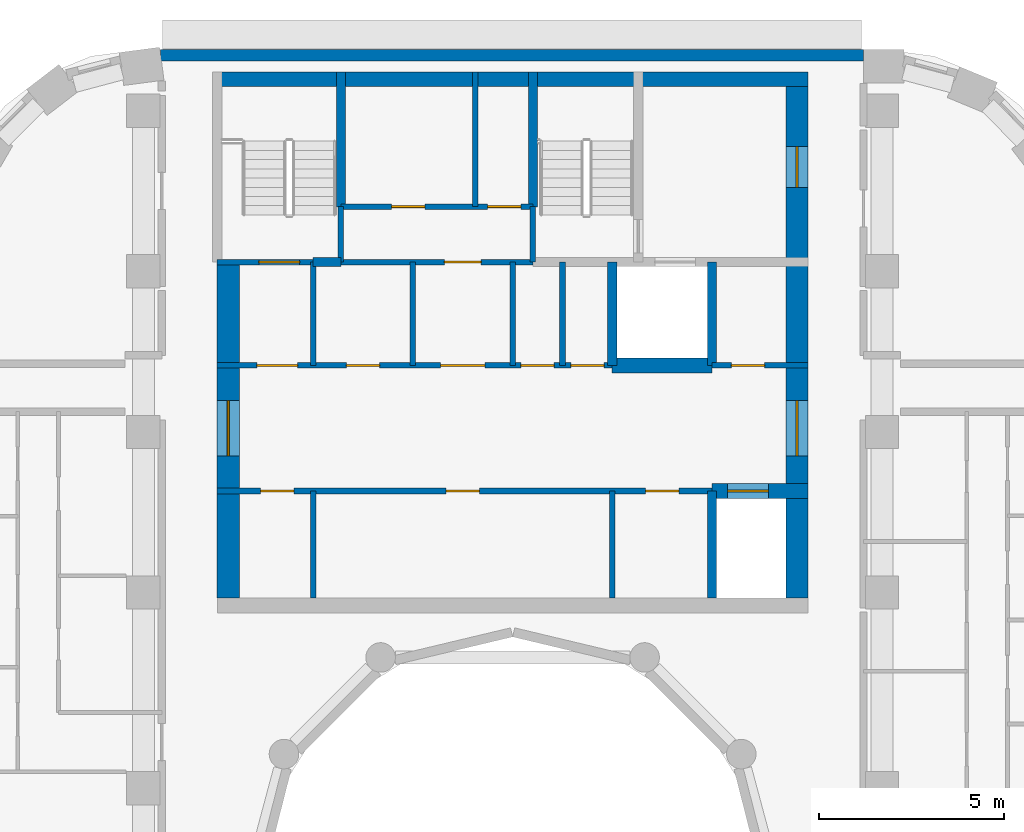
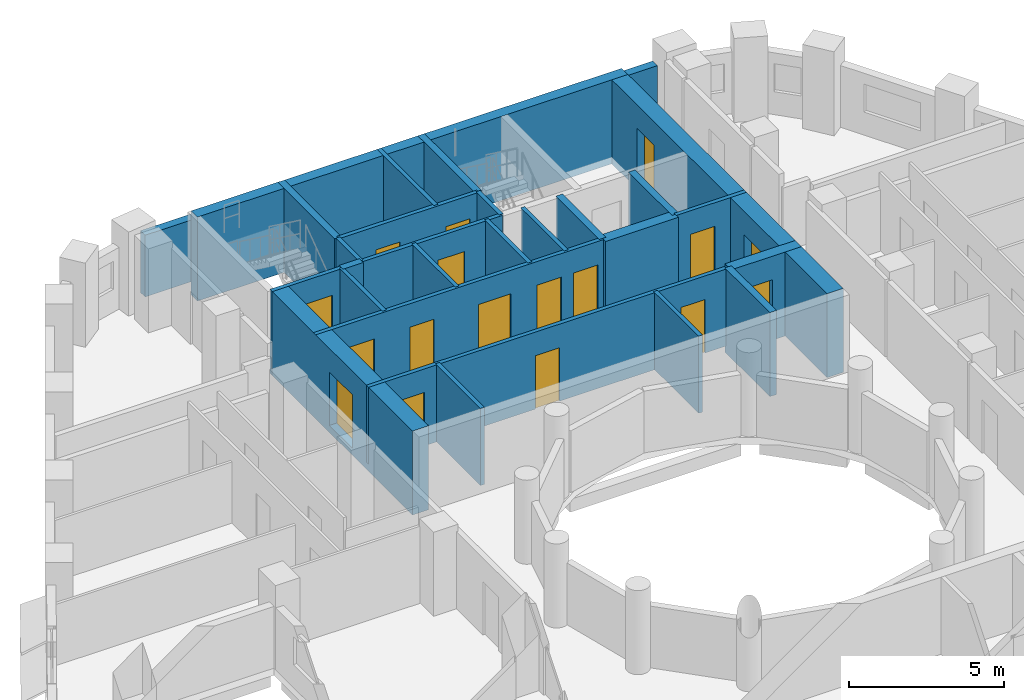
# One storey, part 7 of 12: 27 walls, 17 doors, 17 openings.
"""IFC4 building model written with IfcOpenShell, lengths in metres."""

from ifc_helpers import new_model, si_unit, direction, frame, frame_2d, origin, place, context, subcontext, project, spatial, rectangle, extrude, material, layer, layer_set, type_object, element, fill, save


model = new_model("IFC4")

# Units and contexts
model_context = context("Model", 3, precision=1e-05, world=origin(), true_north=direction((0.0, 1.0)))
body_context = subcontext(model_context, "Body", "Model", "MODEL_VIEW")
ifc_project = project(units=[si_unit("LENGTHUNIT", "METRE"), si_unit("AREAUNIT", "SQUARE_METRE"), si_unit("VOLUMEUNIT", "CUBIC_METRE"), si_unit("PLANEANGLEUNIT", "RADIAN"), si_unit("MASSUNIT", "GRAM", prefix="KILO")], contexts=[model_context])

# Site, building, storey
site_placement = place(None, origin())
site = spatial("IfcSite", under=ifc_project, at=site_placement, CompositionType="ELEMENT")
building_placement = place(site_placement, origin())
building = spatial("IfcBuilding", under=site, at=building_placement, Name="Nakaniwa Court", CompositionType="ELEMENT")
storey_placement = place(building_placement, frame((0.0, 0.0, 236.10009765625)))
storey = spatial("IfcBuildingStorey", under=building, at=storey_placement, Name="L61", CompositionType="ELEMENT", Elevation=236.10009765625)

# Walls
ifc_material_1 = material(Name="Charcoal ceramic cladding")
ifc_layer_1 = layer(ifc_material_1, 0.02, Name="Ceramic cladding")
ifc_material_2 = material(Name="Ventilated air cavity")
ifc_layer_2 = layer(ifc_material_2, 0.04, ventilated=True, Name="Ventilated cavity")
ifc_material_3 = material(Name="Mineral wool insulation")
ifc_layer_3 = layer(ifc_material_3, 0.1, Name="Insulation")
ifc_material_4 = material(Name="Cement bonded sheathing board")
ifc_layer_4 = layer(ifc_material_4, 0.012, Name="Sheathing")
ifc_material_5 = material(Name="Cold-formed galvanised stud frame with mineral wool infill")
ifc_layer_5 = layer(ifc_material_5, 0.1, Name="Stud frame")
ifc_material_6 = material(Name="Fire-rated gypsum plasterboard lining")
ifc_layer_6 = layer(ifc_material_6, 0.028, Name="Lining")
ifc_layer_set_1 = layer_set([ifc_layer_1, ifc_layer_2, ifc_layer_3, ifc_layer_4, ifc_layer_5, ifc_layer_6], Name="Charcoal ceramic faced external wall system")
wall_type_1 = type_object("IfcWallType", Name="Black ceramic faced external wall 300", PredefinedType="SOLIDWALL", material=ifc_layer_set_1)
wall_1_placement = place(storey_placement, frame((89.499267578125, 102.5, 0.0), z_axis=(0.0, 0.0, 1.0), x_axis=(-1.0, 0.0, 0.0)))
element("IfcWall", 1, at=wall_1_placement, inside=storey, type_object=wall_type_1, Name="L61 external wall 08", PredefinedType="SOLIDWALL", context=body_context, shape_type="SweptSolid", body=[
    extrude(rectangle(XDim=19.033447265625, YDim=0.300048828125, at=frame_2d((9.5166015625, 0.0))), origin(), (0.0, 0.0, 1.0), 2.4248046875),
])
ifc_material_7 = material(Name="Blockwork partition", Category="masonry")
ifc_layer_7 = layer(ifc_material_7, 0.14990234375)
ifc_layer_set_2 = layer_set([ifc_layer_7], Name="Blockwork partition")
wall_type_2 = type_object("IfcWallType", Name="Blockwork partition 150", PredefinedType="PARTITIONING", material=ifc_layer_set_2)
wall_2_placement = place(storey_placement, frame((74.60009765625, 87.800048828125, 0.0), z_axis=(0.0, 0.0, 1.0), x_axis=(0.0, 1.0, 0.0)))
element("IfcWall", 2, at=wall_2_placement, inside=storey, type_object=wall_type_2, Name="Partition PW-001", PredefinedType="PARTITIONING", context=body_context, shape_type="SweptSolid", body=[
    extrude(rectangle(XDim=2.89990234375, YDim=0.14990234375, at=frame_2d((1.449951171875, 0.0))), origin(), (0.0, 0.0, 1.0), 3.02490234375),
])
wall_3_placement = place(storey_placement, frame((74.60009765625, 94.10009765625, 0.0), z_axis=(0.0, 0.0, 1.0), x_axis=(0.0, 1.0, 0.0)))
element("IfcWall", 3, at=wall_3_placement, inside=storey, type_object=wall_type_2, Name="Partition PW-002", PredefinedType="PARTITIONING", context=body_context, shape_type="SweptSolid", body=[
    extrude(rectangle(XDim=2.7998046875, YDim=0.14990234375, at=frame_2d((1.39990234375, 0.0))), origin(), (0.0, 0.0, 1.0), 3.02490234375),
])

# Wall, openings, doors
wall_4_placement = place(storey_placement, frame((85.39990234375, 90.699951171875, 0.0), z_axis=(0.0, 0.0, 1.0), x_axis=(-1.0, 0.0, 0.0)))
wall_4 = element("IfcWall", 4, at=wall_4_placement, inside=storey, type_object=wall_type_2, Name="Partition PW-003", PredefinedType="PARTITIONING", context=body_context, shape_type="SweptSolid", body=[
    extrude(rectangle(XDim=13.39990234375, YDim=0.14990234375, at=frame_2d((6.699951171875, 0.0))), origin(), (0.0, 0.0, 1.0), 3.02490234375),
])
opening_1_placement = place(wall_4_placement, frame((11.324951171875, 0.0, 0.0)))
opening_1 = element("IfcOpeningElement", 5, at=opening_1_placement, cuts=wall_4, Name="Opening D-05-01", PredefinedType="OPENING", context=body_context, shape_type="SweptSolid", body=[
    extrude(rectangle(XDim=0.89990234375, YDim=2.10009765625, at=frame_2d((0.449951171875, 1.050048828125))), frame((0.0, 0.0849609375, 0.0), z_axis=(0.0, -1.0, 0.0), x_axis=(1.0, 0.0, 0.0)), (0.0, 0.0, 1.0), 0.169921875),
])
opening_2_placement = place(wall_4_placement, frame((6.300048828125, 0.0, 0.0)))
opening_2 = element("IfcOpeningElement", 6, at=opening_2_placement, cuts=wall_4, Name="Opening D-05-02", PredefinedType="OPENING", context=body_context, shape_type="SweptSolid", body=[
    extrude(rectangle(XDim=0.89990234375, YDim=2.10009765625, at=frame_2d((0.449951171875, 1.050048828125))), frame((0.0, 0.0849609375, 0.0), z_axis=(0.0, -1.0, 0.0), x_axis=(1.0, 0.0, 0.0)), (0.0, 0.0, 1.0), 0.169921875),
])
opening_3_placement = place(wall_4_placement, frame((0.89990234375, 0.0, 0.0)))
opening_3 = element("IfcOpeningElement", 7, at=opening_3_placement, cuts=wall_4, Name="Opening D-05-03", PredefinedType="OPENING", context=body_context, shape_type="SweptSolid", body=[
    extrude(rectangle(XDim=0.89990234375, YDim=2.10009765625, at=frame_2d((0.449951171875, 1.050048828125))), frame((0.0, 0.0849609375, 0.0), z_axis=(0.0, -1.0, 0.0), x_axis=(1.0, 0.0, 0.0)), (0.0, 0.0, 1.0), 0.169921875),
])
ifc_material_8 = material(Name="Fire rated steel door set", Category="steel")
door_type_1 = type_object("IfcDoorType", Name="Service room door 900", OperationType="NOTDEFINED", PredefinedType="DOOR", material=ifc_material_8)
door_1_placement = place(opening_1_placement, origin())
door_1 = element("IfcDoor", 8, at=door_1_placement, inside=storey, type_object=door_type_1, Name="Door D-05-01 L61-001", OperationType="SINGLE_SWING_RIGHT", OverallHeight=2.10009765625, OverallWidth=0.89990234375, PredefinedType="DOOR", context=body_context, shape_type="SweptSolid", body=[
    extrude(rectangle(XDim=0.89990234375, YDim=2.10009765625, at=frame_2d((0.449951171875, 1.050048828125))), frame((0.0, 0.02490234375, 0.0), z_axis=(0.0, -1.0, 0.0), x_axis=(1.0, 0.0, 0.0)), (0.0, 0.0, 1.0), 0.050048828125),
])
fill(opening_1, door_1)
door_2_placement = place(opening_2_placement, origin())
door_2 = element("IfcDoor", 9, at=door_2_placement, inside=storey, type_object=door_type_1, Name="Door D-05-02 L61-002", OperationType="SINGLE_SWING_LEFT", OverallHeight=2.10009765625, OverallWidth=0.89990234375, PredefinedType="DOOR", context=body_context, shape_type="SweptSolid", body=[
    extrude(rectangle(XDim=0.89990234375, YDim=2.10009765625, at=frame_2d((0.449951171875, 1.050048828125))), frame((0.0, 0.02490234375, 0.0), z_axis=(0.0, -1.0, 0.0), x_axis=(1.0, 0.0, 0.0)), (0.0, 0.0, 1.0), 0.050048828125),
])
fill(opening_2, door_2)
door_3_placement = place(opening_3_placement, origin())
door_3 = element("IfcDoor", 10, at=door_3_placement, inside=storey, type_object=door_type_1, Name="Door D-05-03 L61-003", OperationType="SINGLE_SWING_RIGHT", OverallHeight=2.10009765625, OverallWidth=0.89990234375, PredefinedType="DOOR", context=body_context, shape_type="SweptSolid", body=[
    extrude(rectangle(XDim=0.89990234375, YDim=2.10009765625, at=frame_2d((0.449951171875, 1.050048828125))), frame((0.0, 0.02490234375, 0.0), z_axis=(0.0, -1.0, 0.0), x_axis=(1.0, 0.0, 0.0)), (0.0, 0.0, 1.0), 0.050048828125),
])
fill(opening_3, door_3)

# Wall
wall_5_placement = place(storey_placement, frame((82.699951171875, 87.800048828125, 0.0), z_axis=(0.0, 0.0, 1.0), x_axis=(0.0, 1.0, 0.0)))
element("IfcWall", 11, at=wall_5_placement, inside=storey, type_object=wall_type_2, Name="Partition PW-009", PredefinedType="PARTITIONING", context=body_context, shape_type="SweptSolid", body=[
    extrude(rectangle(XDim=2.89990234375, YDim=0.14990234375, at=frame_2d((1.449951171875, 0.0))), origin(), (0.0, 0.0, 1.0), 3.02490234375),
])

# Wall, openings, doors
wall_6_placement = place(storey_placement, frame((72.0, 94.10009765625, 0.0), z_axis=(0.0, 0.0, 1.0), x_axis=(1.0, 0.0, 0.0)))
wall_6 = element("IfcWall", 12, at=wall_6_placement, inside=storey, type_object=wall_type_2, Name="Partition PW-010", PredefinedType="PARTITIONING", context=body_context, shape_type="SweptSolid", body=[
    extrude(rectangle(XDim=10.702880859375, YDim=0.14990234375, at=frame_2d((5.3515625, 0.0))), origin(), (0.0, 0.0, 1.0), 3.02490234375),
])
opening_4_placement = place(wall_6_placement, frame((1.074951171875, 0.0, 0.0)))
opening_4 = element("IfcOpeningElement", 13, at=opening_4_placement, cuts=wall_6, Name="Opening D-08-01", PredefinedType="OPENING", context=body_context, shape_type="SweptSolid", body=[
    extrude(rectangle(XDim=1.10009765625, YDim=2.10009765625, at=frame_2d((0.550048828125, 1.050048828125))), frame((0.0, 0.0849609375, 0.0), z_axis=(0.0, -1.0, 0.0), x_axis=(1.0, 0.0, 0.0)), (0.0, 0.0, 1.0), 0.169921875),
])
opening_5_placement = place(wall_6_placement, frame((3.5, 0.0, 0.0)))
opening_5 = element("IfcOpeningElement", 14, at=opening_5_placement, cuts=wall_6, Name="Opening D-05-04", PredefinedType="OPENING", context=body_context, shape_type="SweptSolid", body=[
    extrude(rectangle(XDim=0.89990234375, YDim=2.10009765625, at=frame_2d((0.449951171875, 1.050048828125))), frame((0.0, 0.0849609375, 0.0), z_axis=(0.0, -1.0, 0.0), x_axis=(1.0, 0.0, 0.0)), (0.0, 0.0, 1.0), 0.169921875),
])
opening_6_placement = place(wall_6_placement, frame((6.050048828125, 0.0, 0.0)))
opening_6 = element("IfcOpeningElement", 15, at=opening_6_placement, cuts=wall_6, Name="Opening D-06-01", PredefinedType="OPENING", context=body_context, shape_type="SweptSolid", body=[
    extrude(rectangle(XDim=1.199951171875, YDim=2.10009765625, at=frame_2d((0.60009765625, 1.050048828125))), frame((0.0, 0.0849609375, 0.0), z_axis=(0.0, -1.0, 0.0), x_axis=(1.0, 0.0, 0.0)), (0.0, 0.0, 1.0), 0.169921875),
])
opening_7_placement = place(wall_6_placement, frame((8.22509765625, 0.0, 0.0)))
opening_7 = element("IfcOpeningElement", 16, at=opening_7_placement, cuts=wall_6, Name="Opening D-05-05", PredefinedType="OPENING", context=body_context, shape_type="SweptSolid", body=[
    extrude(rectangle(XDim=0.89990234375, YDim=2.10009765625, at=frame_2d((0.449951171875, 1.050048828125))), frame((0.0, 0.0849609375, 0.0), z_axis=(0.0, -1.0, 0.0), x_axis=(1.0, 0.0, 0.0)), (0.0, 0.0, 1.0), 0.169921875),
])
opening_8_placement = place(wall_6_placement, frame((9.574951171875, 0.0, 0.0)))
opening_8 = element("IfcOpeningElement", 17, at=opening_8_placement, cuts=wall_6, Name="Opening D-05-06", PredefinedType="OPENING", context=body_context, shape_type="SweptSolid", body=[
    extrude(rectangle(XDim=0.89990234375, YDim=2.10009765625, at=frame_2d((0.449951171875, 1.050048828125))), frame((0.0, 0.0849609375, 0.0), z_axis=(0.0, -1.0, 0.0), x_axis=(1.0, 0.0, 0.0)), (0.0, 0.0, 1.0), 0.169921875),
])
ifc_material_9 = material(Name="Fire rated steel double door set", Category="steel")
door_type_2 = type_object("IfcDoorType", Name="Service passage double door 1200", OperationType="NOTDEFINED", PredefinedType="DOOR", material=ifc_material_9)
door_4_placement = place(opening_6_placement, origin())
door_4 = element("IfcDoor", 18, at=door_4_placement, inside=storey, type_object=door_type_2, Name="Door D-06-01 L61-006", OperationType="DOUBLE_DOOR_SINGLE_SWING", OverallHeight=2.10009765625, OverallWidth=1.199951171875, PredefinedType="DOOR", context=body_context, shape_type="SweptSolid", body=[
    extrude(rectangle(XDim=1.199951171875, YDim=2.10009765625, at=frame_2d((0.60009765625, 1.050048828125))), frame((0.0, 0.02490234375, 0.0), z_axis=(0.0, -1.0, 0.0), x_axis=(1.0, 0.0, 0.0)), (0.0, 0.0, 1.0), 0.050048828125),
])
fill(opening_6, door_4)
door_5_placement = place(opening_5_placement, origin())
door_5 = element("IfcDoor", 19, at=door_5_placement, inside=storey, type_object=door_type_1, Name="Door D-05-04 L61-005", OperationType="SINGLE_SWING_RIGHT", OverallHeight=2.10009765625, OverallWidth=0.89990234375, PredefinedType="DOOR", context=body_context, shape_type="SweptSolid", body=[
    extrude(rectangle(XDim=0.89990234375, YDim=2.10009765625, at=frame_2d((0.449951171875, 1.050048828125))), frame((0.0, 0.02490234375, 0.0), z_axis=(0.0, -1.0, 0.0), x_axis=(1.0, 0.0, 0.0)), (0.0, 0.0, 1.0), 0.050048828125),
])
fill(opening_5, door_5)
door_6_placement = place(opening_7_placement, origin())
door_6 = element("IfcDoor", 20, at=door_6_placement, inside=storey, type_object=door_type_1, Name="Door D-05-05 L61-007", OperationType="SINGLE_SWING_RIGHT", OverallHeight=2.10009765625, OverallWidth=0.89990234375, PredefinedType="DOOR", context=body_context, shape_type="SweptSolid", body=[
    extrude(rectangle(XDim=0.89990234375, YDim=2.10009765625, at=frame_2d((0.449951171875, 1.050048828125))), frame((0.0, 0.02490234375, 0.0), z_axis=(0.0, -1.0, 0.0), x_axis=(1.0, 0.0, 0.0)), (0.0, 0.0, 1.0), 0.050048828125),
])
fill(opening_7, door_6)
door_7_placement = place(opening_8_placement, origin())
door_7 = element("IfcDoor", 21, at=door_7_placement, inside=storey, type_object=door_type_1, Name="Door D-05-06 L61-008", OperationType="SINGLE_SWING_LEFT", OverallHeight=2.10009765625, OverallWidth=0.89990234375, PredefinedType="DOOR", context=body_context, shape_type="SweptSolid", body=[
    extrude(rectangle(XDim=0.89990234375, YDim=2.10009765625, at=frame_2d((0.449951171875, 1.050048828125))), frame((0.0, 0.02490234375, 0.0), z_axis=(0.0, -1.0, 0.0), x_axis=(1.0, 0.0, 0.0)), (0.0, 0.0, 1.0), 0.050048828125),
])
fill(opening_8, door_7)
door_type_3 = type_object("IfcDoorType", Name="Stair lobby door 1100", OperationType="NOTDEFINED", PredefinedType="DOOR", material=ifc_material_8)
door_8_placement = place(opening_4_placement, origin())
door_8 = element("IfcDoor", 22, at=door_8_placement, inside=storey, type_object=door_type_3, Name="Door D-08-01 L61-004", OperationType="SINGLE_SWING_LEFT", OverallHeight=2.10009765625, OverallWidth=1.10009765625, PredefinedType="DOOR", context=body_context, shape_type="SweptSolid", body=[
    extrude(rectangle(XDim=1.10009765625, YDim=2.10009765625, at=frame_2d((0.550048828125, 1.050048828125))), frame((0.0, 0.02490234375, 0.0), z_axis=(0.0, -1.0, 0.0), x_axis=(1.0, 0.0, 0.0)), (0.0, 0.0, 1.0), 0.050048828125),
])
fill(opening_4, door_8)

# Wall, opening, door
wall_7_placement = place(storey_placement, frame((85.39697265625, 94.10009765625, 0.0), z_axis=(0.0, 0.0, 1.0), x_axis=(1.0, 0.0, 0.0)))
wall_7 = element("IfcWall", 23, at=wall_7_placement, inside=storey, type_object=wall_type_2, Name="Partition PW-011", PredefinedType="PARTITIONING", context=body_context, shape_type="SweptSolid", body=[
    extrude(rectangle(XDim=2.60302734375, YDim=0.14990234375, at=frame_2d((1.301513671875, 0.0))), origin(), (0.0, 0.0, 1.0), 3.02490234375),
])
opening_9_placement = place(wall_7_placement, frame((0.528076171875, 0.0, 0.0)))
opening_9 = element("IfcOpeningElement", 24, at=opening_9_placement, cuts=wall_7, Name="Opening D-05-07", PredefinedType="OPENING", context=body_context, shape_type="SweptSolid", body=[
    extrude(rectangle(XDim=0.89990234375, YDim=2.10009765625, at=frame_2d((0.449951171875, 1.050048828125))), frame((0.0, 0.0849609375, 0.0), z_axis=(0.0, -1.0, 0.0), x_axis=(1.0, 0.0, 0.0)), (0.0, 0.0, 1.0), 0.169921875),
])
door_9_placement = place(opening_9_placement, origin())
door_9 = element("IfcDoor", 25, at=door_9_placement, inside=storey, type_object=door_type_1, Name="Door D-05-07 L61-009", OperationType="SINGLE_SWING_RIGHT", OverallHeight=2.10009765625, OverallWidth=0.89990234375, PredefinedType="DOOR", context=body_context, shape_type="SweptSolid", body=[
    extrude(rectangle(XDim=0.89990234375, YDim=2.10009765625, at=frame_2d((0.449951171875, 1.050048828125))), frame((0.0, 0.02490234375, 0.0), z_axis=(0.0, -1.0, 0.0), x_axis=(1.0, 0.0, 0.0)), (0.0, 0.0, 1.0), 0.050048828125),
])
fill(opening_9, door_9)

# Wall
wall_8_placement = place(storey_placement, frame((77.300048828125, 94.10009765625, 0.0), z_axis=(0.0, 0.0, 1.0), x_axis=(0.0, 1.0, 0.0)))
element("IfcWall", 26, at=wall_8_placement, inside=storey, type_object=wall_type_2, Name="Partition PW-014", PredefinedType="PARTITIONING", context=body_context, shape_type="SweptSolid", body=[
    extrude(rectangle(XDim=2.7998046875, YDim=0.14990234375, at=frame_2d((1.39990234375, 0.0))), origin(), (0.0, 0.0, 1.0), 3.02490234375),
])

# Wall, opening, door
wall_9_placement = place(storey_placement, frame((75.346923828125, 96.89990234375, 0.0), z_axis=(0.0, 0.0, 1.0), x_axis=(1.0, 0.0, 0.0)))
wall_9 = element("IfcWall", 27, at=wall_9_placement, inside=storey, type_object=wall_type_2, Name="Partition PW-017", PredefinedType="PARTITIONING", context=body_context, shape_type="SweptSolid", body=[
    extrude(rectangle(XDim=5.2060546875, YDim=0.14990234375, at=frame_2d((2.60302734375, 0.0))), origin(), (0.0, 0.0, 1.0), 3.02490234375),
])
opening_10_placement = place(wall_9_placement, frame((2.802978515625, 0.0, 0.0)))
opening_10 = element("IfcOpeningElement", 28, at=opening_10_placement, cuts=wall_9, Name="Opening D-23-01", PredefinedType="OPENING", context=body_context, shape_type="SweptSolid", body=[
    extrude(rectangle(XDim=1.0, YDim=2.10009765625, at=frame_2d((0.5, 1.050048828125))), frame((0.0, 0.0849609375, 0.0), z_axis=(0.0, -1.0, 0.0), x_axis=(1.0, 0.0, 0.0)), (0.0, 0.0, 1.0), 0.169921875),
])
door_type_4 = type_object("IfcDoorType", Name="Service room door 1000", OperationType="NOTDEFINED", PredefinedType="DOOR", material=ifc_material_8)
door_10_placement = place(opening_10_placement, origin())
door_10 = element("IfcDoor", 29, at=door_10_placement, inside=storey, type_object=door_type_4, Name="Door D-23-01 L61-010", OperationType="SINGLE_SWING_LEFT", OverallHeight=2.10009765625, OverallWidth=1.0, PredefinedType="DOOR", context=body_context, shape_type="SweptSolid", body=[
    extrude(rectangle(XDim=1.0, YDim=2.10009765625, at=frame_2d((0.5, 1.050048828125))), frame((0.0, 0.02490234375, 0.0), z_axis=(0.0, -1.0, 0.0), x_axis=(1.0, 0.0, 0.0)), (0.0, 0.0, 1.0), 0.050048828125),
])
fill(opening_10, door_10)

# Walls
for number, where, z_axis, x_axis, name in (
    (30, (80.0, 94.10009765625, 0.0), (0.0, 0.0, 1.0), (0.0, 1.0, 0.0), "Partition PW-018"),
    (31, (81.35009765625, 94.10009765625, 0.0), (0.0, 0.0, 1.0), (0.0, 1.0, 0.0), "Partition PW-019"),
):
    element("IfcWall", number, at=place(storey_placement, frame(where, z_axis=z_axis, x_axis=x_axis)), inside=storey, type_object=wall_type_2, Name=name, PredefinedType="PARTITIONING", context=body_context, shape_type="SweptSolid", body=[
        extrude(rectangle(XDim=2.7998046875, YDim=0.14990234375, at=frame_2d((1.39990234375, 0.0))), origin(), (0.0, 0.0, 1.0), 3.02490234375),
    ])

# Wall, openings, doors
wall_10_placement = place(storey_placement, frame((75.35009765625, 98.39990234375, 0.0), z_axis=(0.0, 0.0, 1.0), x_axis=(1.0, 0.0, 0.0)))
wall_10 = element("IfcWall", 32, at=wall_10_placement, inside=storey, type_object=wall_type_2, Name="Partition PW-027", PredefinedType="PARTITIONING", context=body_context, shape_type="SweptSolid", body=[
    extrude(rectangle(XDim=5.199951171875, YDim=0.14990234375, at=frame_2d((2.60009765625, 0.0))), origin(), (0.0, 0.0, 1.0), 3.02490234375),
])
opening_11_placement = place(wall_10_placement, frame((1.3701171875, 0.0, 0.0)))
opening_11 = element("IfcOpeningElement", 33, at=opening_11_placement, cuts=wall_10, Name="Opening D-05-08", PredefinedType="OPENING", context=body_context, shape_type="SweptSolid", body=[
    extrude(rectangle(XDim=0.89990234375, YDim=2.10009765625, at=frame_2d((0.449951171875, 1.050048828125))), frame((0.0, 0.0849609375, 0.0), z_axis=(0.0, -1.0, 0.0), x_axis=(1.0, 0.0, 0.0)), (0.0, 0.0, 1.0), 0.169921875),
])
opening_12_placement = place(wall_10_placement, frame((3.969970703125, 0.0, 0.0)))
opening_12 = element("IfcOpeningElement", 34, at=opening_12_placement, cuts=wall_10, Name="Opening D-05-09", PredefinedType="OPENING", context=body_context, shape_type="SweptSolid", body=[
    extrude(rectangle(XDim=0.89990234375, YDim=2.10009765625, at=frame_2d((0.449951171875, 1.050048828125))), frame((0.0, 0.0849609375, 0.0), z_axis=(0.0, -1.0, 0.0), x_axis=(1.0, 0.0, 0.0)), (0.0, 0.0, 1.0), 0.169921875),
])
door_11_placement = place(opening_11_placement, origin())
door_11 = element("IfcDoor", 35, at=door_11_placement, inside=storey, type_object=door_type_1, Name="Door D-05-08 L61-011", OperationType="SINGLE_SWING_RIGHT", OverallHeight=2.10009765625, OverallWidth=0.89990234375, PredefinedType="DOOR", context=body_context, shape_type="SweptSolid", body=[
    extrude(rectangle(XDim=0.89990234375, YDim=2.10009765625, at=frame_2d((0.449951171875, 1.050048828125))), frame((0.0, 0.02490234375, 0.0), z_axis=(0.0, -1.0, 0.0), x_axis=(1.0, 0.0, 0.0)), (0.0, 0.0, 1.0), 0.050048828125),
])
fill(opening_11, door_11)
door_12_placement = place(opening_12_placement, origin())
door_12 = element("IfcDoor", 36, at=door_12_placement, inside=storey, type_object=door_type_1, Name="Door D-05-09 L61-012", OperationType="SINGLE_SWING_LEFT", OverallHeight=2.10009765625, OverallWidth=0.89990234375, PredefinedType="DOOR", context=body_context, shape_type="SweptSolid", body=[
    extrude(rectangle(XDim=0.89990234375, YDim=2.10009765625, at=frame_2d((0.449951171875, 1.050048828125))), frame((0.0, 0.02490234375, 0.0), z_axis=(0.0, -1.0, 0.0), x_axis=(1.0, 0.0, 0.0)), (0.0, 0.0, 1.0), 0.050048828125),
])
fill(opening_12, door_12)

# Wall
wall_11_placement = place(storey_placement, frame((78.989990234375, 98.39990234375, 0.0), z_axis=(0.0, 0.0, 1.0), x_axis=(0.0, 1.0, 0.0)))
element("IfcWall", 37, at=wall_11_placement, inside=storey, type_object=wall_type_2, Name="Partition PW-028", PredefinedType="PARTITIONING", context=body_context, shape_type="SweptSolid", body=[
    extrude(rectangle(XDim=3.650146484375, YDim=0.14990234375, at=frame_2d((1.8251953125, 0.0))), origin(), (0.0, 0.0, 1.0), 3.02490234375),
])

# Wall, opening, door
ifc_material_10 = material(Name="Concrete C80/100", Category="concrete")
ifc_layer_8 = layer(ifc_material_10, 0.60009765625)
ifc_layer_set_3 = layer_set([ifc_layer_8], Name="Concrete C80/100")
wall_type_3 = type_object("IfcWallType", Name="Concrete core side wall 600 C80", PredefinedType="SHEAR", material=ifc_layer_set_3)
wall_12_placement = place(storey_placement, frame((72.300048828125, 87.800048828125, -0.275146484375), z_axis=(0.0, 0.0, 1.0), x_axis=(0.0, 1.0, 0.0)))
wall_12 = element("IfcWall", 38, at=wall_12_placement, inside=storey, type_object=wall_type_3, Name="Core wall SW-04", PredefinedType="SHEAR", context=body_context, shape_type="SweptSolid", body=[
    extrude(rectangle(XDim=9.099853515625, YDim=0.60009765625, at=frame_2d((4.5498046875, 0.0))), origin(), (0.0, 0.0, 1.0), 3.300048828125),
])
opening_13_placement = place(wall_12_placement, frame((3.85009765625, 0.0, 0.27490234375)))
opening_13 = element("IfcOpeningElement", 39, at=opening_13_placement, cuts=wall_12, Name="Opening D-07-02", PredefinedType="OPENING", context=body_context, shape_type="SweptSolid", body=[
    extrude(rectangle(XDim=1.5, YDim=2.10009765625, at=frame_2d((0.75, 1.050048828125))), frame((0.0, 0.31005859375, 0.0), z_axis=(0.0, -1.0, 0.0), x_axis=(1.0, 0.0, 0.0)), (0.0, 0.0, 1.0), 0.6201171875),
])
ifc_material_11 = material(Name="Glazed fire rated steel double door set", Category="steel")
door_type_5 = type_object("IfcDoorType", Name="Lobby double door 1500", OperationType="NOTDEFINED", PredefinedType="DOOR", material=ifc_material_11)
door_13_placement = place(opening_13_placement, origin())
door_13 = element("IfcDoor", 40, at=door_13_placement, inside=storey, type_object=door_type_5, Name="Door D-07-02 L61-063", OperationType="DOUBLE_DOOR_SINGLE_SWING", OverallHeight=2.10009765625, OverallWidth=1.5, PredefinedType="DOOR", context=body_context, shape_type="SweptSolid", body=[
    extrude(rectangle(XDim=1.5, YDim=2.10009765625, at=frame_2d((0.75, 1.050048828125))), frame((0.0, 0.02490234375, 0.0), z_axis=(0.0, -1.0, 0.0), x_axis=(1.0, 0.0, 0.0)), (0.0, 0.0, 1.0), 0.050048828125),
])
fill(opening_13, door_13)

# Wall, openings, doors
wall_13_placement = place(storey_placement, frame((87.699951171875, 102.050048828125, -0.275146484375), z_axis=(0.0, 0.0, 1.0), x_axis=(0.0, -1.0, 0.0)))
wall_13 = element("IfcWall", 41, at=wall_13_placement, inside=storey, type_object=wall_type_3, Name="Core wall SW-08", PredefinedType="SHEAR", context=body_context, shape_type="SweptSolid", body=[
    extrude(rectangle(XDim=14.25, YDim=0.60009765625, at=frame_2d((7.125, 0.0))), origin(), (0.0, 0.0, 1.0), 3.300048828125),
])
opening_14_placement = place(wall_13_placement, frame((8.89990234375, 0.0, 0.27490234375)))
opening_14 = element("IfcOpeningElement", 42, at=opening_14_placement, cuts=wall_13, Name="Opening D-07-01", PredefinedType="OPENING", context=body_context, shape_type="SweptSolid", body=[
    extrude(rectangle(XDim=1.5, YDim=2.10009765625, at=frame_2d((0.75, 1.050048828125))), frame((0.0, 0.31005859375, 0.0), z_axis=(0.0, -1.0, 0.0), x_axis=(1.0, 0.0, 0.0)), (0.0, 0.0, 1.0), 0.6201171875),
])
opening_15_placement = place(wall_13_placement, frame((2.02490234375, 0.0, 0.27490234375)))
opening_15 = element("IfcOpeningElement", 43, at=opening_15_placement, cuts=wall_13, Name="Opening D-10-01", PredefinedType="OPENING", context=body_context, shape_type="SweptSolid", body=[
    extrude(rectangle(XDim=1.10009765625, YDim=2.10009765625, at=frame_2d((0.550048828125, 1.050048828125))), frame((0.0, 0.31005859375, 0.0), z_axis=(0.0, -1.0, 0.0), x_axis=(1.0, 0.0, 0.0)), (0.0, 0.0, 1.0), 0.6201171875),
])
door_type_6 = type_object("IfcDoorType", Name="Firefighting lobby door 1100", OperationType="NOTDEFINED", PredefinedType="DOOR", material=ifc_material_8)
door_14_placement = place(opening_15_placement, origin())
door_14 = element("IfcDoor", 44, at=door_14_placement, inside=storey, type_object=door_type_6, Name="Door D-10-01 L61-064", OperationType="SINGLE_SWING_LEFT", OverallHeight=2.10009765625, OverallWidth=1.10009765625, PredefinedType="DOOR", context=body_context, shape_type="SweptSolid", body=[
    extrude(rectangle(XDim=1.10009765625, YDim=2.10009765625, at=frame_2d((0.550048828125, 1.050048828125))), frame((0.0, 0.02490234375, 0.0), z_axis=(0.0, -1.0, 0.0), x_axis=(1.0, 0.0, 0.0)), (0.0, 0.0, 1.0), 0.050048828125),
])
fill(opening_15, door_14)
door_15_placement = place(opening_14_placement, origin())
door_15 = element("IfcDoor", 45, at=door_15_placement, inside=storey, type_object=door_type_5, Name="Door D-07-01 L61-062", OperationType="DOUBLE_DOOR_SINGLE_SWING", OverallHeight=2.10009765625, OverallWidth=1.5, PredefinedType="DOOR", context=body_context, shape_type="SweptSolid", body=[
    extrude(rectangle(XDim=1.5, YDim=2.10009765625, at=frame_2d((0.75, 1.050048828125))), frame((0.0, 0.02490234375, 0.0), z_axis=(0.0, -1.0, 0.0), x_axis=(1.0, 0.0, 0.0)), (0.0, 0.0, 1.0), 0.050048828125),
])
fill(opening_14, door_15)

# Wall, opening, door
ifc_layer_9 = layer(ifc_material_10, 0.39990234375)
ifc_layer_set_4 = layer_set([ifc_layer_9], Name="Concrete C80/100")
wall_type_4 = type_object("IfcWallType", Name="Concrete core spine wall 400 C80", PredefinedType="SHEAR", material=ifc_layer_set_4)
wall_14_placement = place(storey_placement, frame((85.39990234375, 90.699951171875, -0.275146484375), z_axis=(0.0, 0.0, 1.0), x_axis=(1.0, 0.0, 0.0)))
wall_14 = element("IfcWall", 46, at=wall_14_placement, inside=storey, type_object=wall_type_4, Name="Core wall SW-07", PredefinedType="SHEAR", context=body_context, shape_type="SweptSolid", body=[
    extrude(rectangle(XDim=2.60009765625, YDim=0.39990234375, at=frame_2d((1.300048828125, 0.0))), origin(), (0.0, 0.0, 1.0), 3.300048828125),
])
opening_16_placement = place(wall_14_placement, frame((0.425048828125, 0.0, 0.27490234375)))
opening_16 = element("IfcOpeningElement", 47, at=opening_16_placement, cuts=wall_14, Name="Opening LD01", PredefinedType="OPENING", context=body_context, shape_type="SweptSolid", body=[
    extrude(rectangle(XDim=1.10009765625, YDim=2.10009765625, at=frame_2d((0.550048828125, 1.050048828125))), frame((0.0, 0.2099609375, 0.0), z_axis=(0.0, -1.0, 0.0), x_axis=(1.0, 0.0, 0.0)), (0.0, 0.0, 1.0), 0.419921875),
])
ifc_material_12 = material(Name="Stainless steel sliding lift landing door", Category="steel")
door_type_7 = type_object("IfcDoorType", Name="Lift landing door 1100", OperationType="NOTDEFINED", PredefinedType="DOOR", material=ifc_material_12)
door_16_placement = place(opening_16_placement, origin())
door_16 = element("IfcDoor", 48, at=door_16_placement, inside=storey, type_object=door_type_7, Name="Lift landing door LD01 L61-001", OperationType="SLIDING_TO_LEFT", OverallHeight=2.10009765625, OverallWidth=1.10009765625, PredefinedType="DOOR", context=body_context, shape_type="SweptSolid", body=[
    extrude(rectangle(XDim=1.10009765625, YDim=2.10009765625, at=frame_2d((0.550048828125, 1.050048828125))), frame((0.0, 0.02490234375, 0.0), z_axis=(0.0, -1.0, 0.0), x_axis=(1.0, 0.0, 0.0)), (0.0, 0.0, 1.0), 0.050048828125),
])
fill(opening_16, door_16)

# Wall
wall_15_placement = place(storey_placement, frame((82.697021484375, 94.10009765625, -0.275146484375), z_axis=(0.0, 0.0, 1.0), x_axis=(1.0, 0.0, 0.0)))
element("IfcWall", 49, at=wall_15_placement, inside=storey, type_object=wall_type_4, Name="Core wall SW-12", PredefinedType="SHEAR", context=body_context, shape_type="SweptSolid", body=[
    extrude(rectangle(XDim=2.7060546875, YDim=0.39990234375, at=frame_2d((1.35302734375, 0.0))), origin(), (0.0, 0.0, 1.0), 3.300048828125),
])

# Wall, opening, door
ifc_layer_10 = layer(ifc_material_10, 0.14990234375)
ifc_layer_set_5 = layer_set([ifc_layer_10], Name="Concrete C80/100")
wall_type_5 = type_object("IfcWallType", Name="Concrete core wall 150 C80", PredefinedType="SHEAR", material=ifc_layer_set_5)
wall_16_placement = place(storey_placement, frame((74.60009765625, 96.89990234375, -0.275146484375), z_axis=(0.0, 0.0, 1.0), x_axis=(-1.0, 0.0, 0.0)))
wall_16 = element("IfcWall", 50, at=wall_16_placement, inside=storey, type_object=wall_type_5, Name="Core wall SW-13", PredefinedType="SHEAR", context=body_context, shape_type="SweptSolid", body=[
    extrude(rectangle(XDim=2.60009765625, YDim=0.14990234375, at=frame_2d((1.300048828125, 0.0))), origin(), (0.0, 0.0, 1.0), 3.300048828125),
])
opening_17_placement = place(wall_16_placement, frame((0.3701171875, 0.0, 0.27490234375)))
opening_17 = element("IfcOpeningElement", 51, at=opening_17_placement, cuts=wall_16, Name="Opening D-09-01", PredefinedType="OPENING", context=body_context, shape_type="SweptSolid", body=[
    extrude(rectangle(XDim=1.10009765625, YDim=2.10009765625, at=frame_2d((0.550048828125, 1.050048828125))), frame((0.0, 0.0849609375, 0.0), z_axis=(0.0, -1.0, 0.0), x_axis=(1.0, 0.0, 0.0)), (0.0, 0.0, 1.0), 0.169921875),
])
door_type_8 = type_object("IfcDoorType", Name="Stair door 1100", OperationType="NOTDEFINED", PredefinedType="DOOR", material=ifc_material_8)
door_17_placement = place(opening_17_placement, origin())
door_17 = element("IfcDoor", 52, at=door_17_placement, inside=storey, type_object=door_type_8, Name="Door D-09-01 L61-013", OperationType="SINGLE_SWING_LEFT", OverallHeight=2.10009765625, OverallWidth=1.10009765625, PredefinedType="DOOR", context=body_context, shape_type="SweptSolid", body=[
    extrude(rectangle(XDim=1.10009765625, YDim=2.10009765625, at=frame_2d((0.550048828125, 1.050048828125))), frame((0.0, 0.02490234375, 0.0), z_axis=(0.0, -1.0, 0.0), x_axis=(1.0, 0.0, 0.0)), (0.0, 0.0, 1.0), 0.050048828125),
])
fill(opening_17, door_17)

# Walls
for number, where, z_axis, x_axis, name in (
    (53, (75.35009765625, 96.89990234375, -0.275146484375), (0.0, 0.0, 1.0), (0.0, 1.0, 0.0), "Core wall SW-21"),
    (54, (80.550048828125, 96.89990234375, -0.275146484375), (0.0, 0.0, 1.0), (0.0, 1.0, 0.0), "Core wall SW-25"),
):
    element("IfcWall", number, at=place(storey_placement, frame(where, z_axis=z_axis, x_axis=x_axis)), inside=storey, type_object=wall_type_5, Name=name, PredefinedType="SHEAR", context=body_context, shape_type="SweptSolid", body=[
        extrude(rectangle(XDim=1.503173828125, YDim=0.14990234375, at=frame_2d((0.75146484375, 0.0))), origin(), (0.0, 0.0, 1.0), 3.300048828125),
    ])
ifc_layer_11 = layer(ifc_material_10, 0.39990234375)
ifc_layer_set_6 = layer_set([ifc_layer_11], Name="Concrete C80/100")
wall_type_6 = type_object("IfcWallType", Name="Concrete core wall 400 C80", PredefinedType="SHEAR", material=ifc_layer_set_6)
wall_17_placement = place(storey_placement, frame((72.00390625, 101.85009765625, -0.275146484375), z_axis=(0.0, 0.0, 1.0), x_axis=(1.0, 0.0, 0.0)))
element("IfcWall", 55, at=wall_17_placement, inside=storey, type_object=wall_type_6, Name="Core wall SW-121", PredefinedType="SHEAR", context=body_context, shape_type="SweptSolid", body=[
    extrude(rectangle(XDim=15.9921875, YDim=0.39990234375, at=frame_2d((7.99609375, 0.0))), origin(), (0.0, 0.0, 1.0), 3.300048828125),
])
ifc_layer_12 = layer(ifc_material_10, 0.25)
ifc_layer_set_7 = layer_set([ifc_layer_12], Name="Concrete C80/100")
wall_type_7 = type_object("IfcWallType", Name="Concrete shaft wall 250 C80", PredefinedType="SHEAR", material=ifc_layer_set_7)
wall_18_placement = place(storey_placement, frame((85.39990234375, 87.800048828125, -0.275146484375), z_axis=(0.0, 0.0, 1.0), x_axis=(0.0, 1.0, 0.0)))
element("IfcWall", 56, at=wall_18_placement, inside=storey, type_object=wall_type_7, Name="Core wall SW-05", PredefinedType="SHEAR", context=body_context, shape_type="SweptSolid", body=[
    extrude(rectangle(XDim=2.89990234375, YDim=0.25, at=frame_2d((1.449951171875, 0.0))), origin(), (0.0, 0.0, 1.0), 3.300048828125),
])
wall_19_placement = place(storey_placement, frame((85.39990234375, 94.10009765625, -0.275146484375), z_axis=(0.0, 0.0, 1.0), x_axis=(0.0, 1.0, 0.0)))
element("IfcWall", 57, at=wall_19_placement, inside=storey, type_object=wall_type_7, Name="Core wall SW-06", PredefinedType="SHEAR", context=body_context, shape_type="SweptSolid", body=[
    extrude(rectangle(XDim=2.7998046875, YDim=0.25, at=frame_2d((1.39990234375, 0.0))), origin(), (0.0, 0.0, 1.0), 3.300048828125),
])
wall_20_placement = place(storey_placement, frame((74.60009765625, 96.89990234375, -0.275146484375), z_axis=(0.0, 0.0, 1.0), x_axis=(1.0, 0.0, 0.0)))
element("IfcWall", 58, at=wall_20_placement, inside=storey, type_object=wall_type_7, Name="Core wall SW-15", PredefinedType="SHEAR", context=body_context, shape_type="SweptSolid", body=[
    extrude(rectangle(XDim=0.7529296875, YDim=0.25, at=frame_2d((0.37646484375, 0.0))), origin(), (0.0, 0.0, 1.0), 3.300048828125),
])
wall_21_placement = place(storey_placement, frame((82.699951171875, 94.10009765625, -0.275146484375), z_axis=(0.0, 0.0, 1.0), x_axis=(0.0, 1.0, 0.0)))
element("IfcWall", 59, at=wall_21_placement, inside=storey, type_object=wall_type_7, Name="Core wall SW-20", PredefinedType="SHEAR", context=body_context, shape_type="SweptSolid", body=[
    extrude(rectangle(XDim=2.7998046875, YDim=0.25, at=frame_2d((1.39990234375, 0.0))), origin(), (0.0, 0.0, 1.0), 3.300048828125),
])
for number, where, z_axis, x_axis, name in (
    (60, (75.35009765625, 98.39697265625, -0.275146484375), (0.0, 0.0, 1.0), (0.0, 1.0, 0.0), "Core wall SW-22"),
    (61, (80.550048828125, 98.39697265625, -0.275146484375), (0.0, 0.0, 1.0), (0.0, 1.0, 0.0), "Core wall SW-26"),
):
    element("IfcWall", number, at=place(storey_placement, frame(where, z_axis=z_axis, x_axis=x_axis)), inside=storey, type_object=wall_type_7, Name=name, PredefinedType="SHEAR", context=body_context, shape_type="SweptSolid", body=[
        extrude(rectangle(XDim=3.653076171875, YDim=0.25, at=frame_2d((1.82666015625, 0.0))), origin(), (0.0, 0.0, 1.0), 3.300048828125),
    ])

save(model, "model.ifc")
